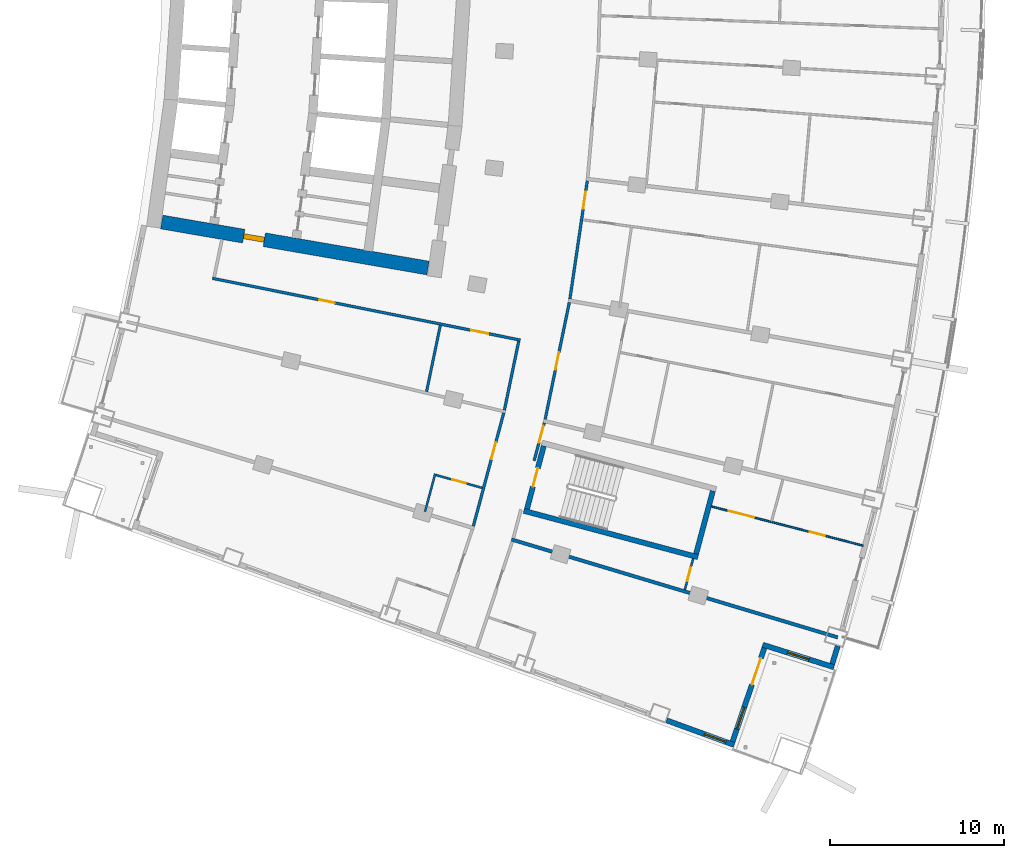
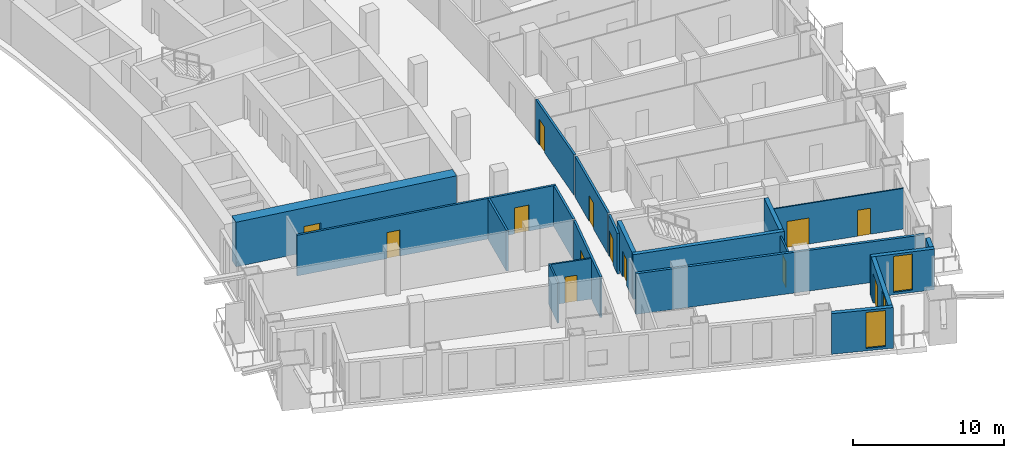
# One storey, part 14 of 25: 20 walls, 13 doors, 3 windows, 16 openings.
"""IFC4 building model written with IfcOpenShell, lengths in metres."""

from ifc_helpers import new_model, si_unit, direction, frame, frame_2d, origin, place, context, subcontext, project, spatial, rectangle, extrude, material, layer, layer_set, type_object, element, fill, save


model = new_model("IFC4")

# Units and contexts
model_context = context("Model", 3, precision=1e-05, world=origin(), true_north=direction((0.0, 1.0)))
body_context = subcontext(model_context, "Body", "Model", "MODEL_VIEW")
ifc_project = project(units=[si_unit("LENGTHUNIT", "METRE"), si_unit("AREAUNIT", "SQUARE_METRE"), si_unit("VOLUMEUNIT", "CUBIC_METRE"), si_unit("PLANEANGLEUNIT", "RADIAN"), si_unit("MASSUNIT", "GRAM", prefix="KILO")], contexts=[model_context])

# Site, building, storey
site_placement = place(None, origin())
site = spatial("IfcSite", under=ifc_project, at=site_placement, CompositionType="ELEMENT")
building_placement = place(site_placement, origin())
building = spatial("IfcBuilding", under=site, at=building_placement, Name="Alderwake Tower", CompositionType="ELEMENT")
storey_placement = place(building_placement, frame((0.0, 0.0, 122.0)))
storey = spatial("IfcBuildingStorey", under=building, at=storey_placement, Name="L30", CompositionType="ELEMENT", Elevation=122.0)

# Wall, opening, door
ifc_material_1 = material(Name="Concrete C70/85", Category="concrete")
ifc_layer_1 = layer(ifc_material_1, 0.800048828125)
ifc_layer_set_1 = layer_set([ifc_layer_1], Name="Core wall outer 800 C70-85")
wall_type_1 = type_object("IfcWallType", Name="Core wall outer 800 C70-85", PredefinedType="SHEAR", material=ifc_layer_set_1)
wall_1_placement = place(storey_placement, frame((31.20458984375, 41.776611328125, 0.0), z_axis=(0.0, 0.0, 1.0), x_axis=(-0.985386537175, 0.170333121719, 0.0)))
wall_1 = element("IfcWall", 1, at=wall_1_placement, inside=storey, type_object=wall_type_1, Name="Core wall CW.071", PredefinedType="SHEAR", context=body_context, shape_type="SweptSolid", body=[
    extrude(rectangle(XDim=15.537109375, YDim=0.800048828125, at=frame_2d((7.7685546875, 0.0))), origin(), (0.0, 0.0, 1.0), 3.60009765625),
])
opening_1_placement = place(wall_1_placement, frame((9.5537109375, 0.0, 0.0)))
opening_1 = element("IfcOpeningElement", 2, at=opening_1_placement, cuts=wall_1, Name="Opening C003", PredefinedType="OPENING", context=body_context, shape_type="SweptSolid", body=[
    extrude(rectangle(XDim=1.199951171875, YDim=2.10009765625, at=frame_2d((0.60009765625, 1.050048828125))), frame((0.0, 0.409912109375, 0.0), z_axis=(0.0, -1.0, 0.0), x_axis=(1.0, 0.0, 0.0)), (0.0, 0.0, 1.0), 0.820068359375),
])
ifc_material_2 = material(Name="Steel-framed fire door leaf", Category="steel")
door_type_1 = type_object("IfcDoorType", Name="Core lobby exit door 1200 fire-rated", OperationType="SINGLE_SWING_LEFT", PredefinedType="DOOR", material=ifc_material_2)
door_1_placement = place(opening_1_placement, origin())
door_1 = element("IfcDoor", 3, at=door_1_placement, inside=storey, type_object=door_type_1, Name="Lobby door", OperationType="SINGLE_SWING_LEFT", OverallHeight=2.10009765625, OverallWidth=1.199951171875, PredefinedType="DOOR", context=body_context, shape_type="SweptSolid", body=[
    extrude(rectangle(XDim=1.199951171875, YDim=2.10009765625, at=frame_2d((0.60009765625, 1.050048828125))), frame((0.0, 0.14990234375, 0.0), z_axis=(0.0, -1.0, 0.0), x_axis=(1.0, 0.0, 0.0)), (0.0, 0.0, 1.0), 0.300048828125),
])
fill(opening_1, door_1)

# Wall
ifc_material_3 = material(Name="Concrete C70/85", Category="concrete")
ifc_layer_2 = layer(ifc_material_3, 0.300048828125)
ifc_layer_set_2 = layer_set([ifc_layer_2], Name="Core wall stair enclosure 300 C70-85")
wall_type_2 = type_object("IfcWallType", Name="Core wall stair enclosure 300 C70-85", PredefinedType="SHEAR", material=ifc_layer_set_2)
wall_2_placement = place(storey_placement, frame((36.71142578125, 27.817626953125, 0.0), z_axis=(0.0, 0.0, 1.0), x_axis=(0.966309214305, -0.257383958996, 0.0)))
element("IfcWall", 4, at=wall_2_placement, inside=storey, type_object=wall_type_2, Name="Core wall CW.088", PredefinedType="SHEAR", context=body_context, shape_type="SweptSolid", body=[
    extrude(rectangle(XDim=10.360107421875, YDim=0.300048828125, at=frame_2d((5.18017578125, 0.0))), origin(), (0.0, 0.0, 1.0), 3.60009765625),
])

# Wall, opening, door
wall_3_placement = place(storey_placement, frame((36.89501953125, 27.923828125, 0.0), z_axis=(0.0, 0.0, 1.0), x_axis=(0.257350630826, 0.966318090907, 0.0)))
wall_3 = element("IfcWall", 5, at=wall_3_placement, inside=storey, type_object=wall_type_2, Name="Core wall CW.087", PredefinedType="SHEAR", context=body_context, shape_type="SweptSolid", body=[
    extrude(rectangle(XDim=3.75, YDim=0.300048828125, at=frame_2d((1.875, 0.0))), origin(), (0.0, 0.0, 1.0), 3.60009765625),
])
opening_2_placement = place(wall_3_placement, frame((1.324951171875, 0.0, 0.0)))
opening_2 = element("IfcOpeningElement", 6, at=opening_2_placement, cuts=wall_3, Name="Opening C065", PredefinedType="OPENING", context=body_context, shape_type="SweptSolid", body=[
    extrude(rectangle(XDim=1.10009765625, YDim=2.10009765625, at=frame_2d((0.550048828125, 1.050048828125))), frame((0.0, 0.159912109375, 0.0), z_axis=(0.0, -1.0, 0.0), x_axis=(1.0, 0.0, 0.0)), (0.0, 0.0, 1.0), 0.320068359375),
])
ifc_material_4 = material(Name="Steel-framed fire door leaf", Category="steel")
door_type_2 = type_object("IfcDoorType", Name="Core stair door 1100 fire-rated", OperationType="SINGLE_SWING_LEFT", PredefinedType="DOOR", material=ifc_material_4)
door_2_placement = place(opening_2_placement, origin())
door_2 = element("IfcDoor", 7, at=door_2_placement, inside=storey, type_object=door_type_2, Name="Stair door", OperationType="SINGLE_SWING_LEFT", OverallHeight=2.10009765625, OverallWidth=1.10009765625, PredefinedType="DOOR", context=body_context, shape_type="SweptSolid", body=[
    extrude(rectangle(XDim=1.10009765625, YDim=2.10009765625, at=frame_2d((0.550048828125, 1.050048828125))), frame((0.0, 0.02490234375, 0.0), z_axis=(0.0, -1.0, 0.0), x_axis=(1.0, 0.0, 0.0)), (0.0, 0.0, 1.0), 0.050048828125),
])
fill(opening_2, door_2)

# Wall
wall_4_placement = place(storey_placement, frame((46.6162109375, 25.334716796875, 0.0), z_axis=(0.0, 0.0, 1.0), x_axis=(0.257366821694, 0.966313778796, 0.0)))
element("IfcWall", 8, at=wall_4_placement, inside=storey, type_object=wall_type_2, Name="Core wall CW.085", PredefinedType="SHEAR", context=body_context, shape_type="SweptSolid", body=[
    extrude(rectangle(XDim=3.749755859375, YDim=0.300048828125, at=frame_2d((1.875, 0.0))), origin(), (0.0, 0.0, 1.0), 3.60009765625),
])

# Wall, openings, doors
ifc_material_5 = material(Name="Gypsum board on metal studs, rated")
ifc_layer_3 = layer(ifc_material_5, 0.159912109375)
ifc_layer_set_3 = layer_set([ifc_layer_3], Name="Corridor wall 160")
wall_type_3 = type_object("IfcWallType", Name="Corridor wall 160", PredefinedType="PARTITIONING", material=ifc_layer_set_3)
wall_5_placement = place(storey_placement, frame((36.513427734375, 37.63427734375, 0.0), z_axis=(0.0, 0.0, 1.0), x_axis=(-0.980470254867, 0.1966674333, 0.0)))
wall_5 = element("IfcWall", 9, at=wall_5_placement, inside=storey, type_object=wall_type_3, Name="WL/L30/W17", PredefinedType="PARTITIONING", context=body_context, shape_type="SweptSolid", body=[
    extrude(rectangle(XDim=18.053466796875, YDim=0.159912109375, at=frame_2d((9.02685546875, 0.0))), origin(), (0.0, 0.0, 1.0), 3.280029296875),
])
opening_3_placement = place(wall_5_placement, frame((10.876708984375, 0.0, 0.0)))
opening_3 = element("IfcOpeningElement", 10, at=opening_3_placement, cuts=wall_5, Name="Opening R08-SBS1", PredefinedType="OPENING", context=body_context, shape_type="SweptSolid", body=[
    extrude(rectangle(XDim=0.89990234375, YDim=2.10009765625, at=frame_2d((0.449951171875, 1.050048828125))), frame((0.0, 0.08984375, 0.0), z_axis=(0.0, -1.0, 0.0), x_axis=(1.0, 0.0, 0.0)), (0.0, 0.0, 1.0), 0.179931640625),
])
opening_4_placement = place(wall_5_placement, frame((1.880615234375, 0.0, 0.0)))
opening_4 = element("IfcOpeningElement", 11, at=opening_4_placement, cuts=wall_5, Name="Opening R08-SBS2", PredefinedType="OPENING", context=body_context, shape_type="SweptSolid", body=[
    extrude(rectangle(XDim=1.0, YDim=2.10009765625, at=frame_2d((0.5, 1.050048828125))), frame((0.0, 0.08984375, 0.0), z_axis=(0.0, -1.0, 0.0), x_axis=(1.0, 0.0, 0.0)), (0.0, 0.0, 1.0), 0.179931640625),
])
ifc_material_6 = material(Name="Steel-framed fire door leaf", Category="steel")
door_type_3 = type_object("IfcDoorType", Name="Plant room door 1000 fire-rated", OperationType="SINGLE_SWING_LEFT", PredefinedType="DOOR", material=ifc_material_6)
door_3_placement = place(opening_4_placement, origin())
door_3 = element("IfcDoor", 12, at=door_3_placement, inside=storey, type_object=door_type_3, Name="DR/L30/SBS2", OperationType="SINGLE_SWING_LEFT", OverallHeight=2.10009765625, OverallWidth=1.0, PredefinedType="DOOR", context=body_context, shape_type="SweptSolid", body=[
    extrude(rectangle(XDim=1.0, YDim=2.10009765625, at=frame_2d((0.5, 1.050048828125))), frame((0.0, 0.02490234375, 0.0), z_axis=(0.0, -1.0, 0.0), x_axis=(1.0, 0.0, 0.0)), (0.0, 0.0, 1.0), 0.050048828125),
])
fill(opening_4, door_3)
ifc_material_7 = material(Name="Painted timber leaf", Category="wood")
door_type_4 = type_object("IfcDoorType", Name="Room door 900", OperationType="SINGLE_SWING_LEFT", PredefinedType="DOOR", material=ifc_material_7)
door_4_placement = place(opening_3_placement, origin())
door_4 = element("IfcDoor", 13, at=door_4_placement, inside=storey, type_object=door_type_4, Name="DR/L30/SBS1", OperationType="SINGLE_SWING_LEFT", OverallHeight=2.10009765625, OverallWidth=0.89990234375, PredefinedType="DOOR", context=body_context, shape_type="SweptSolid", body=[
    extrude(rectangle(XDim=0.89990234375, YDim=2.10009765625, at=frame_2d((0.449951171875, 1.050048828125))), frame((0.0, 0.02490234375, 0.0), z_axis=(0.0, -1.0, 0.0), x_axis=(1.0, 0.0, 0.0)), (0.0, 0.0, 1.0), 0.050048828125),
])
fill(opening_3, door_4)

# Wall, opening, door
wall_6_placement = place(storey_placement, frame((33.808837890625, 26.9345703125, 0.0), z_axis=(0.0, 0.0, 1.0), x_axis=(0.259298911818, 0.965797118618, 0.0)))
wall_6 = element("IfcWall", 14, at=wall_6_placement, inside=storey, type_object=wall_type_3, Name="WL/L30/W24", PredefinedType="PARTITIONING", context=body_context, shape_type="SweptSolid", body=[
    extrude(rectangle(XDim=6.75, YDim=0.159912109375, at=frame_2d((3.375, 0.0))), origin(), (0.0, 0.0, 1.0), 3.280029296875),
])
opening_5_placement = place(wall_6_placement, frame((4.00341796875, 0.0, 0.0)))
opening_5 = element("IfcOpeningElement", 15, at=opening_5_placement, cuts=wall_6, Name="Opening R08-U12.1", PredefinedType="OPENING", context=body_context, shape_type="SweptSolid", body=[
    extrude(rectangle(XDim=1.0, YDim=2.10009765625, at=frame_2d((0.5, 1.050048828125))), frame((0.0, 0.08984375, 0.0), z_axis=(0.0, -1.0, 0.0), x_axis=(1.0, 0.0, 0.0)), (0.0, 0.0, 1.0), 0.179931640625),
])
ifc_material_8 = material(Name="Solid timber leaf in steel frame", Category="steel")
door_type_5 = type_object("IfcDoorType", Name="Flat entrance door 1000 fire-rated", OperationType="SINGLE_SWING_LEFT", PredefinedType="DOOR", material=ifc_material_8)
door_5_placement = place(opening_5_placement, origin())
door_5 = element("IfcDoor", 16, at=door_5_placement, inside=storey, type_object=door_type_5, Name="DR/L30/U12.1", OperationType="SINGLE_SWING_LEFT", OverallHeight=2.10009765625, OverallWidth=1.0, PredefinedType="DOOR", context=body_context, shape_type="SweptSolid", body=[
    extrude(rectangle(XDim=1.0, YDim=2.10009765625, at=frame_2d((0.5, 1.050048828125))), frame((0.0, 0.02490234375, 0.0), z_axis=(0.0, -1.0, 0.0), x_axis=(1.0, 0.0, 0.0)), (0.0, 0.0, 1.0), 0.050048828125),
])
fill(opening_5, door_5)

# Wall
wall_7_placement = place(storey_placement, frame((36.418701171875, 37.57177734375, 0.0), z_axis=(0.0, 0.0, 1.0), x_axis=(-0.203245920818, -0.979127721838, 0.0)))
element("IfcWall", 17, at=wall_7_placement, inside=storey, type_object=wall_type_3, Name="WL/L30/W29", PredefinedType="PARTITIONING", context=body_context, shape_type="SweptSolid", body=[
    extrude(rectangle(XDim=4.046875, YDim=0.159912109375, at=frame_2d((2.0234375, 0.0))), origin(), (0.0, 0.0, 1.0), 3.280029296875),
])

# Wall, opening, door
wall_8_placement = place(storey_placement, frame((37.89111328125, 32.87939453125, 0.0), z_axis=(0.0, 0.0, 1.0), x_axis=(-0.259620578816, -0.965710699462, 0.0)))
wall_8 = element("IfcWall", 18, at=wall_8_placement, inside=storey, type_object=wall_type_3, Name="WL/L30/W32", PredefinedType="PARTITIONING", context=body_context, shape_type="SweptSolid", body=[
    extrude(rectangle(XDim=2.2578125, YDim=0.159912109375, at=frame_2d((1.12890625, 0.0))), origin(), (0.0, 0.0, 1.0), 3.280029296875),
])
opening_6_placement = place(wall_8_placement, frame((0.1708984375, 0.0, 0.0)))
opening_6 = element("IfcOpeningElement", 19, at=opening_6_placement, cuts=wall_8, Name="Opening R08-U01.1", PredefinedType="OPENING", context=body_context, shape_type="SweptSolid", body=[
    extrude(rectangle(XDim=1.0, YDim=2.10009765625, at=frame_2d((0.5, 1.050048828125))), frame((0.0, 0.08984375, 0.0), z_axis=(0.0, -1.0, 0.0), x_axis=(1.0, 0.0, 0.0)), (0.0, 0.0, 1.0), 0.179931640625),
])
door_6_placement = place(opening_6_placement, origin())
door_6 = element("IfcDoor", 20, at=door_6_placement, inside=storey, type_object=door_type_5, Name="DR/L30/U01.1", OperationType="SINGLE_SWING_LEFT", OverallHeight=2.10009765625, OverallWidth=1.0, PredefinedType="DOOR", context=body_context, shape_type="SweptSolid", body=[
    extrude(rectangle(XDim=1.0, YDim=2.10009765625, at=frame_2d((0.5, 1.050048828125))), frame((0.0, 0.02490234375, 0.0), z_axis=(0.0, -1.0, 0.0), x_axis=(1.0, 0.0, 0.0)), (0.0, 0.0, 1.0), 0.050048828125),
])
fill(opening_6, door_6)

wall_9_placement = place(storey_placement, frame((39.32763671875, 39.799072265625, 0.0), z_axis=(0.0, 0.0, 1.0), x_axis=(-0.202463357072, -0.97928983914, 0.0)))
wall_9 = element("IfcWall", 21, at=wall_9_placement, inside=storey, type_object=wall_type_3, Name="WL/L30/W33", PredefinedType="PARTITIONING", context=body_context, shape_type="SweptSolid", body=[
    extrude(rectangle(XDim=6.867431640625, YDim=0.159912109375, at=frame_2d((3.43359375, 0.0))), origin(), (0.0, 0.0, 1.0), 3.280029296875),
])
opening_7_placement = place(wall_9_placement, frame((2.93359375, 0.0, 0.0)))
opening_7 = element("IfcOpeningElement", 22, at=opening_7_placement, cuts=wall_9, Name="Opening R08-U05.2", PredefinedType="OPENING", context=body_context, shape_type="SweptSolid", body=[
    extrude(rectangle(XDim=1.0, YDim=2.10009765625, at=frame_2d((0.5, 1.050048828125))), frame((0.0, 0.08984375, 0.0), z_axis=(0.0, -1.0, 0.0), x_axis=(1.0, 0.0, 0.0)), (0.0, 0.0, 1.0), 0.179931640625),
])
door_7_placement = place(opening_7_placement, origin())
door_7 = element("IfcDoor", 23, at=door_7_placement, inside=storey, type_object=door_type_5, Name="DR/L30/U05.2", OperationType="SINGLE_SWING_LEFT", OverallHeight=2.10009765625, OverallWidth=1.0, PredefinedType="DOOR", context=body_context, shape_type="SweptSolid", body=[
    extrude(rectangle(XDim=1.0, YDim=2.10009765625, at=frame_2d((0.5, 1.050048828125))), frame((0.0, 0.02490234375, 0.0), z_axis=(0.0, -1.0, 0.0), x_axis=(1.0, 0.0, 0.0)), (0.0, 0.0, 1.0), 0.050048828125),
])
fill(opening_7, door_7)

wall_10_placement = place(storey_placement, frame((40.3623046875, 46.7939453125, 0.0), z_axis=(0.0, 0.0, 1.0), x_axis=(-0.1455042199, -0.989357630987, 0.0)))
wall_10 = element("IfcWall", 24, at=wall_10_placement, inside=storey, type_object=wall_type_3, Name="WL/L30/W35", PredefinedType="PARTITIONING", context=body_context, shape_type="SweptSolid", body=[
    extrude(rectangle(XDim=6.87109375, YDim=0.159912109375, at=frame_2d((3.435546875, 0.0))), origin(), (0.0, 0.0, 1.0), 3.280029296875),
])
opening_8_placement = place(wall_10_placement, frame((0.628662109375, 0.0, 0.0)))
opening_8 = element("IfcOpeningElement", 25, at=opening_8_placement, cuts=wall_10, Name="Opening R08-U06.2", PredefinedType="OPENING", context=body_context, shape_type="SweptSolid", body=[
    extrude(rectangle(XDim=1.0, YDim=2.10009765625, at=frame_2d((0.5, 1.050048828125))), frame((0.0, 0.08984375, 0.0), z_axis=(0.0, -1.0, 0.0), x_axis=(1.0, 0.0, 0.0)), (0.0, 0.0, 1.0), 0.179931640625),
])
door_8_placement = place(opening_8_placement, origin())
door_8 = element("IfcDoor", 26, at=door_8_placement, inside=storey, type_object=door_type_5, Name="DR/L30/U06.2", OperationType="SINGLE_SWING_LEFT", OverallHeight=2.10009765625, OverallWidth=1.0, PredefinedType="DOOR", context=body_context, shape_type="SweptSolid", body=[
    extrude(rectangle(XDim=1.0, YDim=2.10009765625, at=frame_2d((0.5, 1.050048828125))), frame((0.0, 0.02490234375, 0.0), z_axis=(0.0, -1.0, 0.0), x_axis=(1.0, 0.0, 0.0)), (0.0, 0.0, 1.0), 0.050048828125),
])
fill(opening_8, door_8)

# Wall
ifc_material_9 = material(Name="Precast concrete C50/60 spandrel panel", Category="concrete")
ifc_layer_4 = layer(ifc_material_9, 0.300048828125)
ifc_layer_set_4 = layer_set([ifc_layer_4], Name="External wall EW1 Precast concrete C50/60 spandrel")
wall_type_4 = type_object("IfcWallType", Name="External wall EW1 Precast concrete C50/60 spandrel", PredefinedType="SOLIDWALL", material=ifc_layer_set_4)
wall_11_placement = place(storey_placement, frame((54.443603515625, 19.013671875, 0.0), z_axis=(0.0, 0.0, 1.0), x_axis=(0.294437594457, 0.95567070844, 0.0)))
element("IfcWall", 27, at=wall_11_placement, inside=storey, type_object=wall_type_4, Name="External wall 11", PredefinedType="SOLIDWALL", context=body_context, shape_type="SweptSolid", body=[
    extrude(rectangle(XDim=1.072998046875, YDim=0.300048828125, at=frame_2d((0.53662109375, 0.0))), origin(), (0.0, 0.0, 1.0), 3.280029296875),
])

# Wall, opening, window
ifc_material_10 = material(Name="Bronze metal cladding on lightweight framing")
ifc_layer_5 = layer(ifc_material_10, 0.300048828125)
ifc_layer_set_5 = layer_set([ifc_layer_5], Name="External wall EW2 bronze metal cladding")
wall_type_5 = type_object("IfcWallType", Name="External wall EW2 bronze metal cladding", PredefinedType="SOLIDWALL", material=ifc_layer_set_5)
wall_12_placement = place(storey_placement, frame((44.924072265625, 15.771728515625, 0.0), z_axis=(0.0, 0.0, 1.0), x_axis=(0.939377533493, -0.34288460095, 0.0)))
wall_12 = element("IfcWall", 28, at=wall_12_placement, inside=storey, type_object=wall_type_5, Name="External wall 8", PredefinedType="SOLIDWALL", context=body_context, shape_type="SweptSolid", body=[
    extrude(rectangle(XDim=4.137451171875, YDim=0.300048828125, at=frame_2d((2.06884765625, 0.0))), origin(), (0.0, 0.0, 1.0), 3.280029296875),
])
opening_9_placement = place(wall_12_placement, frame((2.321533203125, 0.0, 0.199951171875)))
opening_9 = element("IfcOpeningElement", 29, at=opening_9_placement, cuts=wall_12, Name="Opening W1", PredefinedType="OPENING", context=body_context, shape_type="SweptSolid", body=[
    extrude(rectangle(XDim=1.300048828125, YDim=2.89990234375, at=frame_2d((0.64990234375, 1.449951171875))), frame((0.0, 0.159912109375, 0.0), z_axis=(0.0, -1.0, 0.0), x_axis=(1.0, 0.0, 0.0)), (0.0, 0.0, 1.0), 0.320068359375),
])
ifc_material_11 = material(Name="Bronze tinted glass in aluminium frame", Category="aluminium")
window_type = type_object("IfcWindowType", Name="Window W1 tall fixed and vent", PartitioningType="DOUBLE_PANEL_VERTICAL", PredefinedType="WINDOW", material=ifc_material_11)
window_1_placement = place(opening_9_placement, origin())
window_1 = element("IfcWindow", 30, at=window_1_placement, inside=storey, type_object=window_type, Name="Window W1 tall fixed and vent", OverallHeight=2.89990234375, OverallWidth=1.300048828125, PartitioningType="DOUBLE_PANEL_VERTICAL", PredefinedType="WINDOW", context=body_context, shape_type="SweptSolid", body=[
    extrude(rectangle(XDim=1.300048828125, YDim=2.89990234375, at=frame_2d((0.64990234375, 1.449951171875))), frame((0.0, 0.030029296875, 0.0), z_axis=(0.0, -1.0, 0.0), x_axis=(1.0, 0.0, 0.0)), (0.0, 0.0, 1.0), 0.06005859375),
])
fill(opening_9, window_1)

# Wall, openings, door, window
wall_13_placement = place(storey_placement, frame((48.718017578125, 14.54638671875, 0.0), z_axis=(0.0, 0.0, 1.0), x_axis=(0.320898962685, 0.947113433411, 0.0)))
wall_13 = element("IfcWall", 31, at=wall_13_placement, inside=storey, type_object=wall_type_5, Name="External wall 9", PredefinedType="SOLIDWALL", context=body_context, shape_type="SweptSolid", body=[
    extrude(rectangle(XDim=5.68701171875, YDim=0.300048828125, at=frame_2d((2.843505859375, 0.0))), origin(), (0.0, 0.0, 1.0), 3.280029296875),
])
opening_10_placement = place(wall_13_placement, frame((0.771728515625, 0.0, 0.199951171875)))
opening_10 = element("IfcOpeningElement", 32, at=opening_10_placement, cuts=wall_13, Name="Opening W1", PredefinedType="OPENING", context=body_context, shape_type="SweptSolid", body=[
    extrude(rectangle(XDim=1.300048828125, YDim=2.89990234375, at=frame_2d((0.64990234375, 1.449951171875))), frame((0.0, 0.159912109375, 0.0), z_axis=(0.0, -1.0, 0.0), x_axis=(1.0, 0.0, 0.0)), (0.0, 0.0, 1.0), 0.320068359375),
])
opening_11_placement = place(wall_13_placement, frame((3.465087890625, 0.0, 0.0)))
opening_11 = element("IfcOpeningElement", 33, at=opening_11_placement, cuts=wall_13, Name="Opening D02", PredefinedType="OPENING", context=body_context, shape_type="SweptSolid", body=[
    extrude(rectangle(XDim=1.60009765625, YDim=2.39990234375, at=frame_2d((0.800048828125, 1.199951171875))), frame((0.0, 0.159912109375, 0.0), z_axis=(0.0, -1.0, 0.0), x_axis=(1.0, 0.0, 0.0)), (0.0, 0.0, 1.0), 0.320068359375),
])
ifc_material_12 = material(Name="Bronze tinted glass in aluminium frame", Category="aluminium")
door_type_6 = type_object("IfcDoorType", Name="Terrace door TD sliding", OperationType="SLIDING_TO_LEFT", PredefinedType="DOOR", material=ifc_material_12)
door_9_placement = place(opening_11_placement, origin())
door_9 = element("IfcDoor", 34, at=door_9_placement, inside=storey, type_object=door_type_6, Name="Door D02", OperationType="SLIDING_TO_LEFT", OverallHeight=2.39990234375, OverallWidth=1.60009765625, PredefinedType="DOOR", context=body_context, shape_type="SweptSolid", body=[
    extrude(rectangle(XDim=1.60009765625, YDim=2.39990234375, at=frame_2d((0.800048828125, 1.199951171875))), frame((0.0, 0.02490234375, 0.0), z_axis=(0.0, -1.0, 0.0), x_axis=(1.0, 0.0, 0.0)), (0.0, 0.0, 1.0), 0.050048828125),
])
fill(opening_11, door_9)
window_2_placement = place(opening_10_placement, origin())
window_2 = element("IfcWindow", 35, at=window_2_placement, inside=storey, type_object=window_type, Name="Window W1 tall fixed and vent", OverallHeight=2.89990234375, OverallWidth=1.300048828125, PartitioningType="DOUBLE_PANEL_VERTICAL", PredefinedType="WINDOW", context=body_context, shape_type="SweptSolid", body=[
    extrude(rectangle(XDim=1.300048828125, YDim=2.89990234375, at=frame_2d((0.64990234375, 1.449951171875))), frame((0.0, 0.030029296875, 0.0), z_axis=(0.0, -1.0, 0.0), x_axis=(1.0, 0.0, 0.0)), (0.0, 0.0, 1.0), 0.06005859375),
])
fill(opening_10, window_2)

# Wall, opening, window
wall_14_placement = place(storey_placement, frame((50.447998046875, 20.119873046875, 0.0), z_axis=(0.0, 0.0, 1.0), x_axis=(0.953453695683, -0.30153946705, 0.0)))
wall_14 = element("IfcWall", 36, at=wall_14_placement, inside=storey, type_object=wall_type_5, Name="External wall 10", PredefinedType="SOLIDWALL", context=body_context, shape_type="SweptSolid", body=[
    extrude(rectangle(XDim=4.29443359375, YDim=0.300048828125, at=frame_2d((2.147216796875, 0.0))), origin(), (0.0, 0.0, 1.0), 3.280029296875),
])
opening_12_placement = place(wall_14_placement, frame((1.4970703125, 0.0, 0.199951171875)))
opening_12 = element("IfcOpeningElement", 37, at=opening_12_placement, cuts=wall_14, Name="Opening W1", PredefinedType="OPENING", context=body_context, shape_type="SweptSolid", body=[
    extrude(rectangle(XDim=1.300048828125, YDim=2.89990234375, at=frame_2d((0.64990234375, 1.449951171875))), frame((0.0, 0.159912109375, 0.0), z_axis=(0.0, -1.0, 0.0), x_axis=(1.0, 0.0, 0.0)), (0.0, 0.0, 1.0), 0.320068359375),
])
window_3_placement = place(opening_12_placement, origin())
window_3 = element("IfcWindow", 38, at=window_3_placement, inside=storey, type_object=window_type, Name="Window W1 tall fixed and vent", OverallHeight=2.89990234375, OverallWidth=1.300048828125, PartitioningType="DOUBLE_PANEL_VERTICAL", PredefinedType="WINDOW", context=body_context, shape_type="SweptSolid", body=[
    extrude(rectangle(XDim=1.300048828125, YDim=2.89990234375, at=frame_2d((0.64990234375, 1.449951171875))), frame((0.0, 0.030029296875, 0.0), z_axis=(0.0, -1.0, 0.0), x_axis=(1.0, 0.0, 0.0)), (0.0, 0.0, 1.0), 0.06005859375),
])
fill(opening_12, window_3)

# Walls
ifc_material_13 = material(Name="Dense block masonry wall", Category="masonry")
ifc_layer_6 = layer(ifc_material_13, 0.199951171875)
ifc_layer_set_6 = layer_set([ifc_layer_6], Name="Party wall 200")
wall_type_6 = type_object("IfcWallType", Name="Party wall 200", PredefinedType="SOLIDWALL", material=ifc_layer_set_6)
wall_15_placement = place(storey_placement, frame((36.00439453125, 26.1708984375, 0.0), z_axis=(0.0, 0.0, 1.0), x_axis=(0.957777200059, -0.287511452028, 0.0)))
element("IfcWall", 39, at=wall_15_placement, inside=storey, type_object=wall_type_6, Name="WL/L30/W05", PredefinedType="SOLIDWALL", context=body_context, shape_type="SweptSolid", body=[
    extrude(rectangle(XDim=19.58154296875, YDim=0.199951171875, at=frame_2d((9.790771484375, 0.0))), origin(), (0.0, 0.0, 1.0), 3.280029296875),
])
ifc_material_14 = material(Name="Gypsum shaft wall system, rated")
ifc_layer_7 = layer(ifc_material_14, 0.14990234375)
ifc_layer_set_7 = layer_set([ifc_layer_7], Name="Riser and shaft wall 150")
wall_type_7 = type_object("IfcWallType", Name="Riser and shaft wall 150", PredefinedType="PARTITIONING", material=ifc_layer_set_7)
wall_16_placement = place(storey_placement, frame((31.120361328125, 34.67138671875, 0.0), z_axis=(0.0, 0.0, 1.0), x_axis=(0.203103989328, 0.979157173042, 0.0)))
element("IfcWall", 40, at=wall_16_placement, inside=storey, type_object=wall_type_7, Name="WL/L30/W14", PredefinedType="PARTITIONING", context=body_context, shape_type="SweptSolid", body=[
    extrude(rectangle(XDim=3.887451171875, YDim=0.14990234375, at=frame_2d((1.94384765625, 0.0))), origin(), (0.0, 0.0, 1.0), 3.280029296875),
])

# Wall, openings, doors
ifc_material_15 = material(Name="Gypsum board on metal studs")
ifc_layer_8 = layer(ifc_material_15, 0.10009765625)
ifc_layer_set_8 = layer_set([ifc_layer_8], Name="Unit partition 100")
wall_type_8 = type_object("IfcWallType", Name="Unit partition 100", PredefinedType="PARTITIONING", material=ifc_layer_set_8)
wall_17_placement = place(storey_placement, frame((56.22607421875, 25.81201171875, 0.0), z_axis=(0.0, 0.0, 1.0), x_axis=(-0.968170905341, 0.25029002787, 0.0)))
wall_17 = element("IfcWall", 41, at=wall_17_placement, inside=storey, type_object=wall_type_8, Name="WL/L30/W76", PredefinedType="PARTITIONING", context=body_context, shape_type="SweptSolid", body=[
    extrude(rectangle(XDim=9.013916015625, YDim=0.10009765625, at=frame_2d((4.5068359375, 0.0))), origin(), (0.0, 0.0, 1.0), 3.280029296875),
])
opening_13_placement = place(wall_17_placement, frame((6.481689453125, 0.0, 0.0)))
opening_13 = element("IfcOpeningElement", 42, at=opening_13_placement, cuts=wall_17, Name="Opening R08-U01.2", PredefinedType="OPENING", context=body_context, shape_type="SweptSolid", body=[
    extrude(rectangle(XDim=1.5, YDim=2.10009765625, at=frame_2d((0.75, 1.050048828125))), frame((0.0, 0.06005859375, 0.0), z_axis=(0.0, -1.0, 0.0), x_axis=(1.0, 0.0, 0.0)), (0.0, 0.0, 1.0), 0.1201171875),
])
opening_14_placement = place(wall_17_placement, frame((2.275390625, 0.0, 0.0)))
opening_14 = element("IfcOpeningElement", 43, at=opening_14_placement, cuts=wall_17, Name="Opening R08-U01.3", PredefinedType="OPENING", context=body_context, shape_type="SweptSolid", body=[
    extrude(rectangle(XDim=0.89990234375, YDim=2.10009765625, at=frame_2d((0.449951171875, 1.050048828125))), frame((0.0, 0.06005859375, 0.0), z_axis=(0.0, -1.0, 0.0), x_axis=(1.0, 0.0, 0.0)), (0.0, 0.0, 1.0), 0.1201171875),
])
ifc_material_16 = material(Name="Painted timber leaves", Category="wood")
door_type_7 = type_object("IfcDoorType", Name="Double leaf door 1500", OperationType="DOUBLE_DOOR_SINGLE_SWING", PredefinedType="DOOR", material=ifc_material_16)
door_10_placement = place(opening_13_placement, origin())
door_10 = element("IfcDoor", 44, at=door_10_placement, inside=storey, type_object=door_type_7, Name="DR/L30/U01.2", OperationType="DOUBLE_DOOR_SINGLE_SWING", OverallHeight=2.10009765625, OverallWidth=1.5, PredefinedType="DOOR", context=body_context, shape_type="SweptSolid", body=[
    extrude(rectangle(XDim=1.5, YDim=2.10009765625, at=frame_2d((0.75, 1.050048828125))), frame((0.0, 0.02490234375, 0.0), z_axis=(0.0, -1.0, 0.0), x_axis=(1.0, 0.0, 0.0)), (0.0, 0.0, 1.0), 0.050048828125),
])
fill(opening_13, door_10)
door_11_placement = place(opening_14_placement, origin())
door_11 = element("IfcDoor", 45, at=door_11_placement, inside=storey, type_object=door_type_4, Name="DR/L30/U01.3", OperationType="SINGLE_SWING_LEFT", OverallHeight=2.10009765625, OverallWidth=0.89990234375, PredefinedType="DOOR", context=body_context, shape_type="SweptSolid", body=[
    extrude(rectangle(XDim=0.89990234375, YDim=2.10009765625, at=frame_2d((0.449951171875, 1.050048828125))), frame((0.0, 0.02490234375, 0.0), z_axis=(0.0, -1.0, 0.0), x_axis=(1.0, 0.0, 0.0)), (0.0, 0.0, 1.0), 0.050048828125),
])
fill(opening_14, door_11)

# Wall
ifc_material_17 = material(Name="Moisture resistant gypsum board on metal studs")
ifc_layer_9 = layer(ifc_material_17, 0.1201171875)
ifc_layer_set_9 = layer_set([ifc_layer_9], Name="Wet room partition 120")
wall_type_9 = type_object("IfcWallType", Name="Wet room partition 120", PredefinedType="PARTITIONING", material=ifc_layer_set_9)
wall_18_placement = place(storey_placement, frame((31.61767578125, 29.949951171875, 0.0), z_axis=(0.0, 0.0, 1.0), x_axis=(-0.259713776358, -0.965685639517, 0.0)))
element("IfcWall", 46, at=wall_18_placement, inside=storey, type_object=wall_type_9, Name="WL/L30/W47", PredefinedType="PARTITIONING", context=body_context, shape_type="SweptSolid", body=[
    extrude(rectangle(XDim=2.2587890625, YDim=0.1201171875, at=frame_2d((1.12939453125, 0.0))), origin(), (0.0, 0.0, 1.0), 3.280029296875),
])

# Wall, opening, door
wall_19_placement = place(storey_placement, frame((34.31787109375, 29.136474609375, 0.0), z_axis=(0.0, 0.0, 1.0), x_axis=(-0.963407530319, 0.268040912036, 0.0)))
wall_19 = element("IfcWall", 47, at=wall_19_placement, inside=storey, type_object=wall_type_9, Name="WL/L30/W49", PredefinedType="PARTITIONING", context=body_context, shape_type="SweptSolid", body=[
    extrude(rectangle(XDim=2.759033203125, YDim=0.1201171875, at=frame_2d((1.37939453125, 0.0))), origin(), (0.0, 0.0, 1.0), 3.280029296875),
])
opening_15_placement = place(wall_19_placement, frame((0.9794921875, 0.0, 0.0)))
opening_15 = element("IfcOpeningElement", 48, at=opening_15_placement, cuts=wall_19, Name="Opening R08-U12.2", PredefinedType="OPENING", context=body_context, shape_type="SweptSolid", body=[
    extrude(rectangle(XDim=0.800048828125, YDim=2.10009765625, at=frame_2d((0.39990234375, 1.050048828125))), frame((0.0, 0.070068359375, 0.0), z_axis=(0.0, -1.0, 0.0), x_axis=(1.0, 0.0, 0.0)), (0.0, 0.0, 1.0), 0.14013671875),
])
ifc_material_18 = material(Name="Painted timber leaf", Category="wood")
door_type_8 = type_object("IfcDoorType", Name="Bathroom door 800", OperationType="SINGLE_SWING_LEFT", PredefinedType="DOOR", material=ifc_material_18)
door_12_placement = place(opening_15_placement, origin())
door_12 = element("IfcDoor", 49, at=door_12_placement, inside=storey, type_object=door_type_8, Name="DR/L30/U12.2", OperationType="SINGLE_SWING_LEFT", OverallHeight=2.10009765625, OverallWidth=0.800048828125, PredefinedType="DOOR", context=body_context, shape_type="SweptSolid", body=[
    extrude(rectangle(XDim=0.800048828125, YDim=2.10009765625, at=frame_2d((0.39990234375, 1.050048828125))), frame((0.0, 0.02490234375, 0.0), z_axis=(0.0, -1.0, 0.0), x_axis=(1.0, 0.0, 0.0)), (0.0, 0.0, 1.0), 0.050048828125),
])
fill(opening_15, door_12)

wall_20_placement = place(storey_placement, frame((45.970947265625, 23.28369140625, 0.0), z_axis=(0.0, 0.0, 1.0), x_axis=(0.258764710752, 0.965940383497, 0.0)))
wall_20 = element("IfcWall", 50, at=wall_20_placement, inside=storey, type_object=wall_type_9, Name="WL/L30/W64", PredefinedType="PARTITIONING", context=body_context, shape_type="SweptSolid", body=[
    extrude(rectangle(XDim=1.847412109375, YDim=0.1201171875, at=frame_2d((0.923828125, 0.0))), origin(), (0.0, 0.0, 1.0), 3.280029296875),
])
opening_16_placement = place(wall_20_placement, frame((0.523681640625, 0.0, 0.0)))
opening_16 = element("IfcOpeningElement", 51, at=opening_16_placement, cuts=wall_20, Name="Opening R08-U01.4", PredefinedType="OPENING", context=body_context, shape_type="SweptSolid", body=[
    extrude(rectangle(XDim=0.800048828125, YDim=2.10009765625, at=frame_2d((0.39990234375, 1.050048828125))), frame((0.0, 0.070068359375, 0.0), z_axis=(0.0, -1.0, 0.0), x_axis=(1.0, 0.0, 0.0)), (0.0, 0.0, 1.0), 0.14013671875),
])
door_13_placement = place(opening_16_placement, origin())
door_13 = element("IfcDoor", 52, at=door_13_placement, inside=storey, type_object=door_type_8, Name="DR/L30/U01.4", OperationType="SINGLE_SWING_LEFT", OverallHeight=2.10009765625, OverallWidth=0.800048828125, PredefinedType="DOOR", context=body_context, shape_type="SweptSolid", body=[
    extrude(rectangle(XDim=0.800048828125, YDim=2.10009765625, at=frame_2d((0.39990234375, 1.050048828125))), frame((0.0, 0.02490234375, 0.0), z_axis=(0.0, -1.0, 0.0), x_axis=(1.0, 0.0, 0.0)), (0.0, 0.0, 1.0), 0.050048828125),
])
fill(opening_16, door_13)

save(model, "model.ifc")
